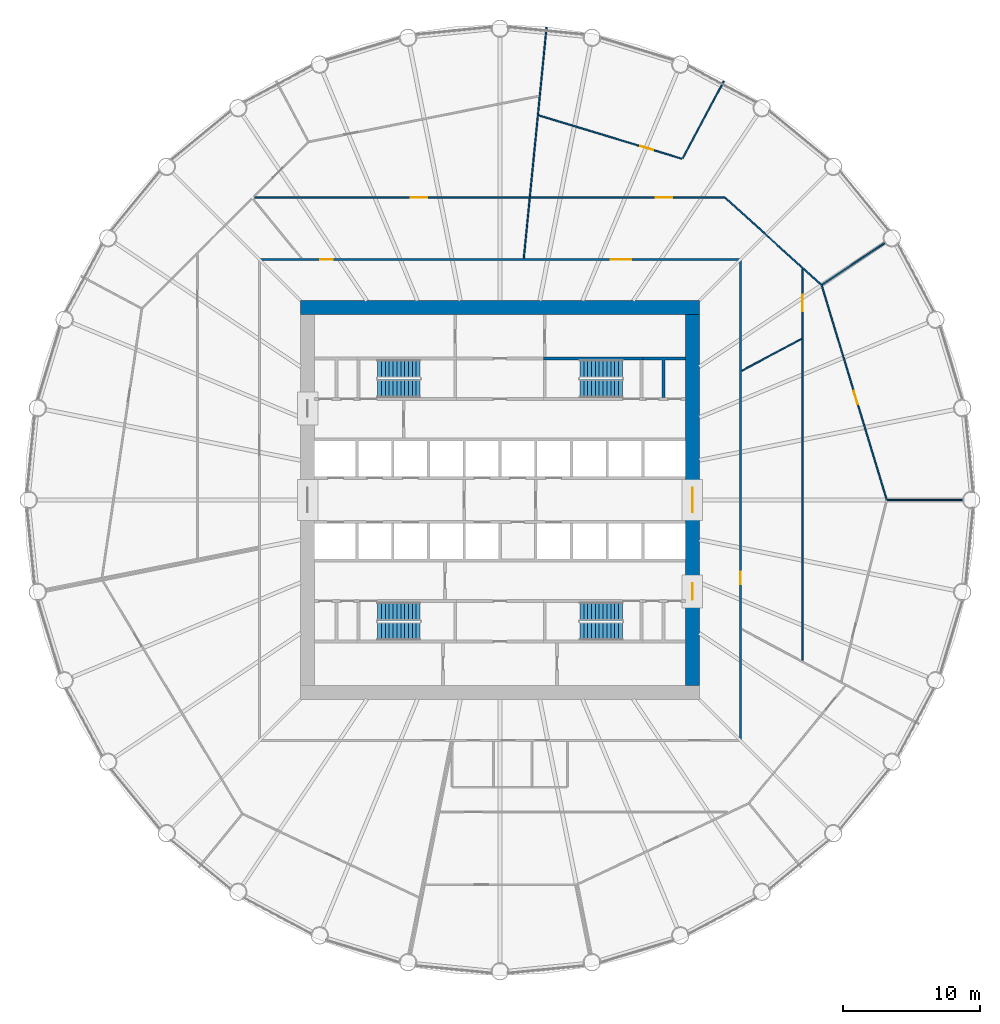
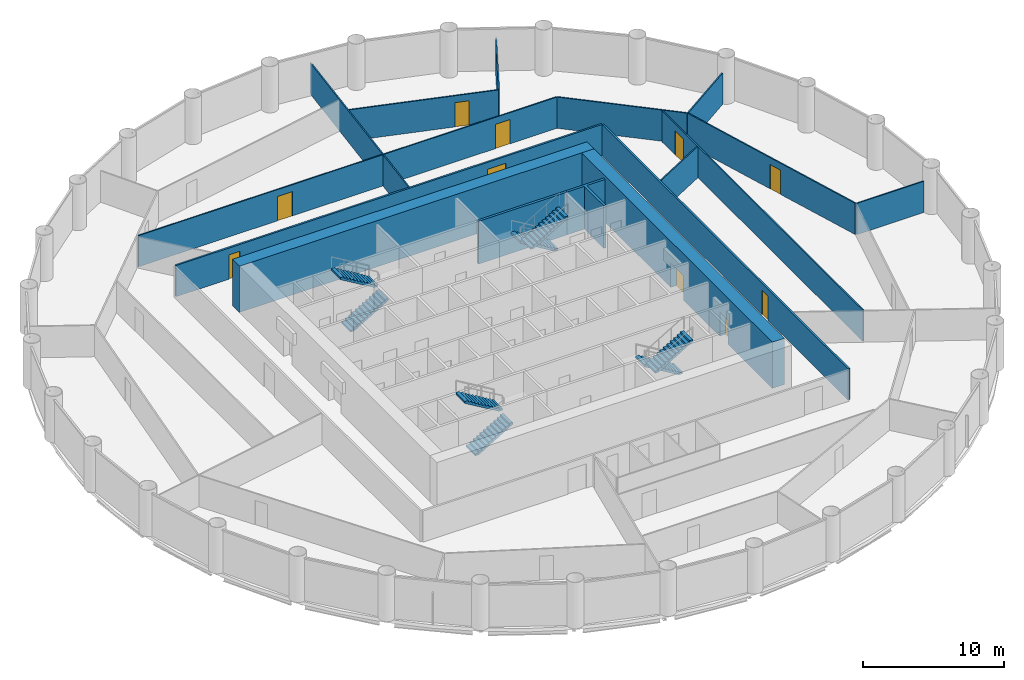
# One storey, part 7 of 8: 17 walls, 10 doors, 8 stair flights, 10 openings, 4 elements without a shape of their own.
"""IFC4 building model written with IfcOpenShell, lengths in metres."""

from ifc_helpers import new_model, si_unit, direction, frame, frame_2d, origin, place, context, subcontext, project, spatial, polyline, rectangle, outline, extrude, material, layer, layer_set, type_object, element, fill, aggregate, save


model = new_model("IFC4")

# Units and contexts
model_context = context("Model", 3, precision=1e-05, world=origin(), true_north=direction((0.0, 1.0)))
body_context = subcontext(model_context, "Body", "Model", "MODEL_VIEW")
ifc_project = project(units=[si_unit("LENGTHUNIT", "METRE"), si_unit("AREAUNIT", "SQUARE_METRE"), si_unit("VOLUMEUNIT", "CUBIC_METRE"), si_unit("PLANEANGLEUNIT", "RADIAN"), si_unit("MASSUNIT", "GRAM", prefix="KILO")], contexts=[model_context])

# Site, building, storey
site_placement = place(None, origin())
site = spatial("IfcSite", under=ifc_project, at=site_placement, CompositionType="ELEMENT")
building_placement = place(site_placement, origin())
building = spatial("IfcBuilding", under=site, at=building_placement, Name="Corvane Civic Tower", CompositionType="ELEMENT")
storey_placement = place(building_placement, frame((0.0, 0.0, 126.5)))
storey = spatial("IfcBuildingStorey", under=building, at=storey_placement, Name="L29", CompositionType="ELEMENT", Elevation=126.5)

# Wall
ifc_material_1 = material(Name="Concrete C70/85", Category="concrete")
ifc_layer_1 = layer(ifc_material_1, 1.0)
ifc_layer_set_1 = layer_set([ifc_layer_1], Name="Concrete C70/85")
wall_type_1 = type_object("IfcWallType", Name="CORE WALL 1000 C70/85", PredefinedType="SHEAR", material=ifc_layer_set_1)
wall_1_placement = place(storey_placement, frame((-14.5, 14.0, 0.0), z_axis=(0.0, 0.0, 1.0), x_axis=(1.0, 0.0, 0.0)))
element("IfcWall", 1, at=wall_1_placement, inside=storey, type_object=wall_type_1, Name="W-L29-core-N", PredefinedType="SHEAR", context=body_context, shape_type="SweptSolid", body=[
    extrude(rectangle(XDim=29.0, YDim=1.0, at=frame_2d((14.5, 0.0))), origin(), (0.0, 0.0, 1.0), 4.0),
])

# Wall, openings, doors
wall_2_placement = place(storey_placement, frame((14.0, -13.5, 0.0), z_axis=(0.0, 0.0, 1.0), x_axis=(0.0, 1.0, 0.0)))
wall_2 = element("IfcWall", 2, at=wall_2_placement, inside=storey, type_object=wall_type_1, Name="W-L29-core-E", PredefinedType="SHEAR", context=body_context, shape_type="SweptSolid", body=[
    extrude(rectangle(XDim=27.0, YDim=1.0, at=frame_2d((13.5, 0.0))), origin(), (0.0, 0.0, 1.0), 4.0),
])
opening_1_placement = place(wall_2_placement, frame((12.60009765625, 0.0, 0.0)))
opening_1 = element("IfcOpeningElement", 3, at=opening_1_placement, cuts=wall_2, Name="Opening L29.C27", PredefinedType="OPENING", context=body_context, shape_type="SweptSolid", body=[
    extrude(rectangle(XDim=1.800048828125, YDim=2.10009765625, at=frame_2d((0.89990234375, 1.050048828125))), frame((0.0, 0.510009765625, 0.0), z_axis=(0.0, -1.0, 0.0), x_axis=(1.0, 0.0, 0.0)), (0.0, 0.0, 1.0), 1.02001953125),
])
opening_2_placement = place(wall_2_placement, frame((6.25, 0.0, 0.0)))
opening_2 = element("IfcOpeningElement", 4, at=opening_2_placement, cuts=wall_2, Name="Opening L29.C29", PredefinedType="OPENING", context=body_context, shape_type="SweptSolid", body=[
    extrude(rectangle(XDim=1.199951171875, YDim=2.10009765625, at=frame_2d((0.60009765625, 1.050048828125))), frame((0.0, 0.510009765625, 0.0), z_axis=(0.0, -1.0, 0.0), x_axis=(1.0, 0.0, 0.0)), (0.0, 0.0, 1.0), 1.02001953125),
])
ifc_material_2 = material(Name="Steel fire door leaf", Category="steel")
door_type_1 = type_object("IfcDoorType", Name="CR-DOOR-CORE-1800", OperationType="DOUBLE_DOOR_SINGLE_SWING", PredefinedType="DOOR", material=ifc_material_2)
door_1_placement = place(opening_1_placement, origin())
door_1 = element("IfcDoor", 5, at=door_1_placement, inside=storey, type_object=door_type_1, Name="L29 door", OperationType="DOUBLE_DOOR_SINGLE_SWING", OverallHeight=2.10009765625, OverallWidth=1.800048828125, PredefinedType="DOOR", context=body_context, shape_type="SweptSolid", body=[
    extrude(rectangle(XDim=1.800048828125, YDim=2.10009765625, at=frame_2d((0.89990234375, 1.050048828125))), frame((0.0, 0.02490234375, 0.0), z_axis=(0.0, -1.0, 0.0), x_axis=(1.0, 0.0, 0.0)), (0.0, 0.0, 1.0), 0.050048828125),
])
fill(opening_1, door_1)
door_2_placement = place(opening_2_placement, origin())
door_2 = element("IfcDoor", 6, at=door_2_placement, inside=storey, type_object=door_type_1, Name="L29 door", OperationType="DOUBLE_DOOR_SINGLE_SWING", OverallHeight=2.10009765625, OverallWidth=1.199951171875, PredefinedType="DOOR", context=body_context, shape_type="SweptSolid", body=[
    extrude(rectangle(XDim=1.199951171875, YDim=2.10009765625, at=frame_2d((0.60009765625, 1.050048828125))), frame((0.0, 0.02490234375, 0.0), z_axis=(0.0, -1.0, 0.0), x_axis=(1.0, 0.0, 0.0)), (0.0, 0.0, 1.0), 0.050048828125),
])
fill(opening_2, door_2)

# Wall
ifc_material_3 = material(Name="Concrete C30/37", Category="concrete")
ifc_layer_2 = layer(ifc_material_3, 0.199951171875)
ifc_layer_set_2 = layer_set([ifc_layer_2], Name="Concrete C30/37")
wall_type_2 = type_object("IfcWallType", Name="CR-WALL-200", PredefinedType="PARTITIONING", material=ifc_layer_set_2)
wall_3_placement = place(storey_placement, origin())
element("IfcWall", 7, at=wall_3_placement, inside=storey, type_object=wall_type_2, Name="L29 core partition wall", PredefinedType="PARTITIONING", context=body_context, shape_type="SweptSolid", body=[
    extrude(outline(polyline([(13.5, 10.39990234375), (13.5, 10.199951171875), (12.0, 10.199951171875), (12.0, 7.449951171875), (11.800048828125, 7.449951171875), (11.800048828125, 10.199951171875), (10.39990234375, 10.199951171875), (10.39990234375, 10.39990234375), (13.5, 10.39990234375)])), origin(), (0.0, 0.0, 1.0), 3.699951171875),
])

# Wall, opening, door
ifc_material_4 = material(Name="Plasterboard")
ifc_layer_3 = layer(ifc_material_4, 0.10009765625)
ifc_layer_set_3 = layer_set([ifc_layer_3], Name="Plasterboard")
wall_type_3 = type_object("IfcWallType", Name="Partition 100 plasterboard on studs", PredefinedType="PARTITIONING", material=ifc_layer_set_3)
wall_4_placement = place(storey_placement, frame((22.0, -11.67578125, 0.0), z_axis=(0.0, 0.0, 1.0), x_axis=(0.0, 1.0, 0.0)))
wall_4 = element("IfcWall", 8, at=wall_4_placement, inside=storey, type_object=wall_type_3, Name="Partition L29.021", PredefinedType="PARTITIONING", context=body_context, shape_type="SweptSolid", body=[
    extrude(rectangle(XDim=28.466796875, YDim=0.10009765625, at=frame_2d((14.2333984375, 0.0))), origin(), (0.0, 0.0, 1.0), 2.699951171875),
])
opening_3_placement = place(wall_4_placement, frame((25.4072265625, 0.0, 0.0)))
opening_3 = element("IfcOpeningElement", 9, at=opening_3_placement, cuts=wall_4, Name="Opening L29.014", PredefinedType="OPENING", context=body_context, shape_type="SweptSolid", body=[
    extrude(rectangle(XDim=1.199951171875, YDim=2.10009765625, at=frame_2d((0.60009765625, 1.050048828125))), frame((0.0, 0.06005859375, 0.0), z_axis=(0.0, -1.0, 0.0), x_axis=(1.0, 0.0, 0.0)), (0.0, 0.0, 1.0), 0.1201171875),
])
ifc_material_5 = material(Name="Timber", Category="wood")
door_type_2 = type_object("IfcDoorType", Name="Double door 1200", OperationType="NOTDEFINED", PredefinedType="DOOR", material=ifc_material_5)
door_3_placement = place(opening_3_placement, frame((1.199951171875, 0.0, 0.0), z_axis=(0.0, 0.0, 1.0), x_axis=(-1.0, 0.0, 0.0)))
door_3 = element("IfcDoor", 10, at=door_3_placement, inside=storey, type_object=door_type_2, Name="Door L29.014", OperationType="DOUBLE_DOOR_SINGLE_SWING", OverallHeight=2.10009765625, OverallWidth=1.199951171875, PredefinedType="DOOR", context=body_context, shape_type="SweptSolid", body=[
    extrude(rectangle(XDim=1.199951171875, YDim=2.10009765625, at=frame_2d((0.60009765625, 1.050048828125))), frame((0.0, 0.02490234375, 0.0), z_axis=(0.0, -1.0, 0.0), x_axis=(1.0, 0.0, 0.0)), (0.0, 0.0, 1.0), 0.050048828125),
])
fill(opening_3, door_3)

# Wall
wall_5_placement = place(storey_placement, frame((28.181640625, 0.0, 0.0), z_axis=(0.0, 0.0, 1.0), x_axis=(1.0, 0.0, 0.0)))
element("IfcWall", 11, at=wall_5_placement, inside=storey, type_object=wall_type_3, Name="Partition L29.025", PredefinedType="PARTITIONING", context=body_context, shape_type="SweptSolid", body=[
    extrude(rectangle(XDim=5.4833984375, YDim=0.10009765625, at=frame_2d((2.74169921875, 0.0))), origin(), (0.0, 0.0, 1.0), 2.699951171875),
])

# Wall, opening, door
wall_6_placement = place(storey_placement, frame((23.410400390625, 15.599609375, 0.0), z_axis=(0.0, 0.0, 1.0), x_axis=(0.290289427399, -0.956938894779, 0.0)))
wall_6 = element("IfcWall", 12, at=wall_6_placement, inside=storey, type_object=wall_type_3, Name="Partition L29.026", PredefinedType="PARTITIONING", context=body_context, shape_type="SweptSolid", body=[
    extrude(rectangle(XDim=16.2646484375, YDim=0.10009765625, at=frame_2d((8.13232421875, 0.0))), origin(), (0.0, 0.0, 1.0), 2.699951171875),
])
opening_4_placement = place(wall_6_placement, frame((8.015380859375, 0.0, 0.0)))
opening_4 = element("IfcOpeningElement", 13, at=opening_4_placement, cuts=wall_6, Name="Opening L29.012", PredefinedType="OPENING", context=body_context, shape_type="SweptSolid", body=[
    extrude(rectangle(XDim=1.0, YDim=2.10009765625, at=frame_2d((0.5, 1.050048828125))), frame((0.0, 0.06005859375, 0.0), z_axis=(0.0, -1.0, 0.0), x_axis=(1.0, 0.0, 0.0)), (0.0, 0.0, 1.0), 0.1201171875),
])
ifc_material_6 = material(Name="Timber", Category="wood")
door_type_3 = type_object("IfcDoorType", Name="Single door 1000", OperationType="NOTDEFINED", PredefinedType="DOOR", material=ifc_material_6)
door_4_placement = place(opening_4_placement, origin())
door_4 = element("IfcDoor", 14, at=door_4_placement, inside=storey, type_object=door_type_3, Name="Door L29.012", OperationType="SINGLE_SWING_RIGHT", OverallHeight=2.10009765625, OverallWidth=1.0, PredefinedType="DOOR", context=body_context, shape_type="SweptSolid", body=[
    extrude(rectangle(XDim=1.0, YDim=2.10009765625, at=frame_2d((0.5, 1.050048828125))), frame((0.0, 0.02490234375, 0.0), z_axis=(0.0, -1.0, 0.0), x_axis=(1.0, 0.0, 0.0)), (0.0, 0.0, 1.0), 0.050048828125),
])
fill(opening_4, door_4)

# Walls
wall_7_placement = place(storey_placement, frame((17.5986328125, 9.406494140625, 0.0), z_axis=(0.0, 0.0, 1.0), x_axis=(0.881906349881, 0.47142463877, 0.0)))
element("IfcWall", 15, at=wall_7_placement, inside=storey, type_object=wall_type_3, Name="Partition L29.027", PredefinedType="PARTITIONING", context=body_context, shape_type="SweptSolid", body=[
    extrude(rectangle(XDim=4.907470703125, YDim=0.10009765625, at=frame_2d((2.45361328125, 0.0))), origin(), (0.0, 0.0, 1.0), 2.699951171875),
])
wall_8_placement = place(storey_placement, frame((16.391357421875, 21.987060546875, 0.0), z_axis=(0.0, 0.0, 1.0), x_axis=(0.740947856194, -0.671562561793, 0.0)))
element("IfcWall", 16, at=wall_8_placement, inside=storey, type_object=wall_type_3, Name="Partition L29.030", PredefinedType="PARTITIONING", context=body_context, shape_type="SweptSolid", body=[
    extrude(rectangle(XDim=9.41943359375, YDim=0.10009765625, at=frame_2d((4.709716796875, 0.0))), origin(), (0.0, 0.0, 1.0), 2.699951171875),
])
wall_9_placement = place(storey_placement, frame((23.43212890625, 15.65673828125, 0.0), z_axis=(0.0, 0.0, 1.0), x_axis=(0.831453900371, 0.555593746867, 0.0)))
element("IfcWall", 17, at=wall_9_placement, inside=storey, type_object=wall_type_3, Name="Partition L29.031", PredefinedType="PARTITIONING", context=body_context, shape_type="SweptSolid", body=[
    extrude(rectangle(XDim=5.483642578125, YDim=0.10009765625, at=frame_2d((2.74169921875, 0.0))), origin(), (0.0, 0.0, 1.0), 2.699951171875),
])
wall_10_placement = place(storey_placement, frame((1.7314453125, 17.579833984375, 0.0), z_axis=(0.0, 0.0, 1.0), x_axis=(0.098017353968, 0.995184705631, 0.0)))
element("IfcWall", 18, at=wall_10_placement, inside=storey, type_object=wall_type_3, Name="Partition L29.033", PredefinedType="PARTITIONING", context=body_context, shape_type="SweptSolid", body=[
    extrude(rectangle(XDim=4.391357421875, YDim=0.10009765625, at=frame_2d((2.19580078125, 0.0))), origin(), (0.0, 0.0, 1.0), 2.699951171875),
])

# Wall, openings, doors
wall_11_placement = place(storey_placement, frame((-17.86181640625, 22.0, 0.0), z_axis=(0.0, 0.0, 1.0), x_axis=(1.0, 0.0, 0.0)))
wall_11 = element("IfcWall", 19, at=wall_11_placement, inside=storey, type_object=wall_type_3, Name="Partition L29.035", PredefinedType="PARTITIONING", context=body_context, shape_type="SweptSolid", body=[
    extrude(rectangle(XDim=34.219482421875, YDim=0.10009765625, at=frame_2d((17.10986328125, 0.0))), origin(), (0.0, 0.0, 1.0), 2.699951171875),
])
opening_5_placement = place(wall_11_placement, frame((11.372314453125, 0.0, 0.0)))
opening_5 = element("IfcOpeningElement", 20, at=opening_5_placement, cuts=wall_11, Name="Opening L29.008", PredefinedType="OPENING", context=body_context, shape_type="SweptSolid", body=[
    extrude(rectangle(XDim=1.199951171875, YDim=2.10009765625, at=frame_2d((0.60009765625, 1.050048828125))), frame((0.0, 0.06005859375, 0.0), z_axis=(0.0, -1.0, 0.0), x_axis=(1.0, 0.0, 0.0)), (0.0, 0.0, 1.0), 0.1201171875),
])
opening_6_placement = place(wall_11_placement, frame((29.17724609375, 0.0, 0.0)))
opening_6 = element("IfcOpeningElement", 21, at=opening_6_placement, cuts=wall_11, Name="Opening L29.015", PredefinedType="OPENING", context=body_context, shape_type="SweptSolid", body=[
    extrude(rectangle(XDim=1.199951171875, YDim=2.10009765625, at=frame_2d((0.60009765625, 1.050048828125))), frame((0.0, 0.06005859375, 0.0), z_axis=(0.0, -1.0, 0.0), x_axis=(1.0, 0.0, 0.0)), (0.0, 0.0, 1.0), 0.1201171875),
])
door_5_placement = place(opening_5_placement, origin())
door_5 = element("IfcDoor", 22, at=door_5_placement, inside=storey, type_object=door_type_2, Name="Door L29.008", OperationType="DOUBLE_DOOR_SINGLE_SWING", OverallHeight=2.10009765625, OverallWidth=1.199951171875, PredefinedType="DOOR", context=body_context, shape_type="SweptSolid", body=[
    extrude(rectangle(XDim=1.199951171875, YDim=2.10009765625, at=frame_2d((0.60009765625, 1.050048828125))), frame((0.0, 0.02490234375, 0.0), z_axis=(0.0, -1.0, 0.0), x_axis=(1.0, 0.0, 0.0)), (0.0, 0.0, 1.0), 0.050048828125),
])
fill(opening_5, door_5)
door_6_placement = place(opening_6_placement, origin())
door_6 = element("IfcDoor", 23, at=door_6_placement, inside=storey, type_object=door_type_2, Name="Door L29.015", OperationType="DOUBLE_DOOR_SINGLE_SWING", OverallHeight=2.10009765625, OverallWidth=1.199951171875, PredefinedType="DOOR", context=body_context, shape_type="SweptSolid", body=[
    extrude(rectangle(XDim=1.199951171875, YDim=2.10009765625, at=frame_2d((0.60009765625, 1.050048828125))), frame((0.0, 0.02490234375, 0.0), z_axis=(0.0, -1.0, 0.0), x_axis=(1.0, 0.0, 0.0)), (0.0, 0.0, 1.0), 0.050048828125),
])
fill(opening_6, door_6)

# Wall
wall_12_placement = place(storey_placement, frame((2.172119140625, 22.054931640625, 0.0), z_axis=(0.0, 0.0, 1.0), x_axis=(0.09802265645, 0.995184183366, 0.0)))
element("IfcWall", 24, at=wall_12_placement, inside=storey, type_object=wall_type_3, Name="Partition L29.036", PredefinedType="PARTITIONING", context=body_context, shape_type="SweptSolid", body=[
    extrude(rectangle(XDim=12.388427734375, YDim=0.10009765625, at=frame_2d((6.1943359375, 0.0))), origin(), (0.0, 0.0, 1.0), 2.699951171875),
])

# Wall, opening, door
wall_13_placement = place(storey_placement, frame((2.816650390625, 27.9892578125, 0.0), z_axis=(0.0, 0.0, 1.0), x_axis=(0.956940372735, -0.290284555271, 0.0)))
wall_13 = element("IfcWall", 25, at=wall_13_placement, inside=storey, type_object=wall_type_3, Name="Partition L29.038", PredefinedType="PARTITIONING", context=body_context, shape_type="SweptSolid", body=[
    extrude(rectangle(XDim=10.87890625, YDim=0.10009765625, at=frame_2d((5.439453125, 0.0))), origin(), (0.0, 0.0, 1.0), 2.699951171875),
])
opening_7_placement = place(wall_13_placement, frame((7.715576171875, 0.0, 0.0)))
opening_7 = element("IfcOpeningElement", 26, at=opening_7_placement, cuts=wall_13, Name="Opening L29.011", PredefinedType="OPENING", context=body_context, shape_type="SweptSolid", body=[
    extrude(rectangle(XDim=1.0, YDim=2.10009765625, at=frame_2d((0.5, 1.050048828125))), frame((0.0, 0.06005859375, 0.0), z_axis=(0.0, -1.0, 0.0), x_axis=(1.0, 0.0, 0.0)), (0.0, 0.0, 1.0), 0.1201171875),
])
door_7_placement = place(opening_7_placement, origin())
door_7 = element("IfcDoor", 27, at=door_7_placement, inside=storey, type_object=door_type_3, Name="Door L29.011", OperationType="SINGLE_SWING_LEFT", OverallHeight=2.10009765625, OverallWidth=1.0, PredefinedType="DOOR", context=body_context, shape_type="SweptSolid", body=[
    extrude(rectangle(XDim=1.0, YDim=2.10009765625, at=frame_2d((0.5, 1.050048828125))), frame((0.0, 0.02490234375, 0.0), z_axis=(0.0, -1.0, 0.0), x_axis=(1.0, 0.0, 0.0)), (0.0, 0.0, 1.0), 0.050048828125),
])
fill(opening_7, door_7)

# Walls
wall_14_placement = place(storey_placement, frame((13.28564453125, 24.855712890625, 0.0), z_axis=(0.0, 0.0, 1.0), x_axis=(0.471406069259, 0.881916275996, 0.0)))
element("IfcWall", 28, at=wall_14_placement, inside=storey, type_object=wall_type_3, Name="Partition L29.039", PredefinedType="PARTITIONING", context=body_context, shape_type="SweptSolid", body=[
    extrude(rectangle(XDim=6.366455078125, YDim=0.10009765625, at=frame_2d((3.18310546875, 0.0))), origin(), (0.0, 0.0, 1.0), 2.699951171875),
])
ifc_material_7 = material(Name="Concrete C50/60", Category="concrete")
ifc_layer_4 = layer(ifc_material_7, 0.199951171875)
ifc_layer_set_4 = layer_set([ifc_layer_4], Name="Concrete C50/60")
wall_type_4 = type_object("IfcWallType", Name="ST-WALL-200", PredefinedType="SHEAR", material=ifc_layer_set_4)
wall_15_placement = place(storey_placement, origin())
element("IfcWall", 29, at=wall_15_placement, inside=storey, type_object=wall_type_4, Name="L29 stair enclosure wall", PredefinedType="SHEAR", context=body_context, shape_type="SweptSolid", body=[
    extrude(outline(polyline([(10.39990234375, 10.199951171875), (3.14990234375, 10.199951171875), (3.14990234375, 10.39990234375), (10.39990234375, 10.39990234375), (10.39990234375, 10.199951171875)])), origin(), (0.0, 0.0, 1.0), 3.699951171875),
])

# Wall, opening, door
ifc_material_8 = material(Name="Plasterboard")
ifc_layer_5 = layer(ifc_material_8, 0.14990234375)
ifc_layer_set_5 = layer_set([ifc_layer_5], Name="Plasterboard")
wall_type_5 = type_object("IfcWallType", Name="Tenancy wall 150 EI 60", PredefinedType="PARTITIONING", material=ifc_layer_set_5)
wall_16_placement = place(storey_placement, frame((17.5, -17.425048828125, 0.0), z_axis=(0.0, 0.0, 1.0), x_axis=(0.0, 1.0, 0.0)))
wall_16 = element("IfcWall", 30, at=wall_16_placement, inside=storey, type_object=wall_type_5, Name="Partition L29.018", PredefinedType="PARTITIONING", context=body_context, shape_type="SweptSolid", body=[
    extrude(rectangle(XDim=34.85009765625, YDim=0.14990234375, at=frame_2d((17.425048828125, 0.0))), origin(), (0.0, 0.0, 1.0), 2.699951171875),
])
opening_8_placement = place(wall_16_placement, frame((11.30615234375, 0.0, 0.0)))
opening_8 = element("IfcOpeningElement", 31, at=opening_8_placement, cuts=wall_16, Name="Opening L29.017", PredefinedType="OPENING", context=body_context, shape_type="SweptSolid", body=[
    extrude(rectangle(XDim=0.89990234375, YDim=2.10009765625, at=frame_2d((0.449951171875, 1.050048828125))), frame((0.0, 0.0849609375, 0.0), z_axis=(0.0, -1.0, 0.0), x_axis=(1.0, 0.0, 0.0)), (0.0, 0.0, 1.0), 0.169921875),
])
ifc_material_9 = material(Name="Steel and timber", Category="steel")
door_type_4 = type_object("IfcDoorType", Name="Fire door FD30S 900", OperationType="NOTDEFINED", PredefinedType="DOOR", material=ifc_material_9)
door_8_placement = place(opening_8_placement, frame((0.89990234375, 0.0, 0.0), z_axis=(0.0, 0.0, 1.0), x_axis=(-1.0, 0.0, 0.0)))
door_8 = element("IfcDoor", 32, at=door_8_placement, inside=storey, type_object=door_type_4, Name="Door L29.017", OperationType="SINGLE_SWING_LEFT", OverallHeight=2.10009765625, OverallWidth=0.89990234375, PredefinedType="DOOR", context=body_context, shape_type="SweptSolid", body=[
    extrude(rectangle(XDim=0.89990234375, YDim=2.10009765625, at=frame_2d((0.449951171875, 1.050048828125))), frame((0.0, 0.02490234375, 0.0), z_axis=(0.0, -1.0, 0.0), x_axis=(1.0, 0.0, 0.0)), (0.0, 0.0, 1.0), 0.050048828125),
])
fill(opening_8, door_8)

# Wall, openings, doors
wall_17_placement = place(storey_placement, frame((-17.425048828125, 17.5, 0.0), z_axis=(0.0, 0.0, 1.0), x_axis=(1.0, 0.0, 0.0)))
wall_17 = element("IfcWall", 33, at=wall_17_placement, inside=storey, type_object=wall_type_5, Name="Partition L29.032", PredefinedType="PARTITIONING", context=body_context, shape_type="SweptSolid", body=[
    extrude(rectangle(XDim=34.85009765625, YDim=0.14990234375, at=frame_2d((17.425048828125, 0.0))), origin(), (0.0, 0.0, 1.0), 2.699951171875),
])
opening_9_placement = place(wall_17_placement, frame((4.343505859375, 0.0, 0.0)))
opening_9 = element("IfcOpeningElement", 34, at=opening_9_placement, cuts=wall_17, Name="Opening L29.010", PredefinedType="OPENING", context=body_context, shape_type="SweptSolid", body=[
    extrude(rectangle(XDim=0.89990234375, YDim=2.10009765625, at=frame_2d((0.449951171875, 1.050048828125))), frame((0.0, 0.0849609375, 0.0), z_axis=(0.0, -1.0, 0.0), x_axis=(1.0, 0.0, 0.0)), (0.0, 0.0, 1.0), 0.169921875),
])
opening_10_placement = place(wall_17_placement, frame((25.488037109375, 0.0, 0.0)))
opening_10 = element("IfcOpeningElement", 35, at=opening_10_placement, cuts=wall_17, Name="Opening L29.016", PredefinedType="OPENING", context=body_context, shape_type="SweptSolid", body=[
    extrude(rectangle(XDim=1.5, YDim=2.10009765625, at=frame_2d((0.75, 1.050048828125))), frame((0.0, 0.0849609375, 0.0), z_axis=(0.0, -1.0, 0.0), x_axis=(1.0, 0.0, 0.0)), (0.0, 0.0, 1.0), 0.169921875),
])
door_9_placement = place(opening_9_placement, origin())
door_9 = element("IfcDoor", 36, at=door_9_placement, inside=storey, type_object=door_type_4, Name="Door L29.010", OperationType="SINGLE_SWING_LEFT", OverallHeight=2.10009765625, OverallWidth=0.89990234375, PredefinedType="DOOR", context=body_context, shape_type="SweptSolid", body=[
    extrude(rectangle(XDim=0.89990234375, YDim=2.10009765625, at=frame_2d((0.449951171875, 1.050048828125))), frame((0.0, 0.02490234375, 0.0), z_axis=(0.0, -1.0, 0.0), x_axis=(1.0, 0.0, 0.0)), (0.0, 0.0, 1.0), 0.050048828125),
])
fill(opening_9, door_9)
ifc_material_10 = material(Name="Steel and timber", Category="steel")
door_type_5 = type_object("IfcDoorType", Name="Fire door FD60 double 1500", OperationType="NOTDEFINED", PredefinedType="DOOR", material=ifc_material_10)
door_10_placement = place(opening_10_placement, origin())
door_10 = element("IfcDoor", 37, at=door_10_placement, inside=storey, type_object=door_type_5, Name="Door L29.016", OperationType="DOUBLE_DOOR_SINGLE_SWING", OverallHeight=2.10009765625, OverallWidth=1.5, PredefinedType="DOOR", context=body_context, shape_type="SweptSolid", body=[
    extrude(rectangle(XDim=1.5, YDim=2.10009765625, at=frame_2d((0.75, 1.050048828125))), frame((0.0, 0.02490234375, 0.0), z_axis=(0.0, -1.0, 0.0), x_axis=(1.0, 0.0, 0.0)), (0.0, 0.0, 1.0), 0.050048828125),
])
fill(opening_10, door_10)

# Stair, stair flights
ifc_material_11 = material(Name="Concrete C40/50", Category="concrete")
stair_type = type_object("IfcStairType", Name="ST-STAIR-HALFTURN", PredefinedType="HALF_TURN_STAIR", material=ifc_material_11)
stair_1_placement = place(storey_placement, origin())
stair_1 = element("IfcStair", 38, at=stair_1_placement, inside=storey, type_object=stair_type, Name="L29 Exit stair ST1", PredefinedType="HALF_TURN_STAIR")
ifc_material_12 = material(Name="Concrete C40/50", Category="concrete")
stair_flight_type = type_object("IfcStairFlightType", Name="ST-FLIGHT-RC", PredefinedType="STRAIGHT", material=ifc_material_12)
stair_flight_1_placement = place(storey_placement, frame((8.89990234375, 9.550048828125, 0.0), z_axis=(0.0, 0.0, 1.0), x_axis=(-1.0, 0.0, 0.0)))
stair_flight_1 = element("IfcStairFlight", 39, at=stair_flight_1_placement, type_object=stair_flight_type, Name="ST1 flight 1", NumberOfRisers=12, NumberOfTreads=11, PredefinedType="STRAIGHT", RiserHeight=0.166666667, TreadLength=0.28, context=body_context, shape_type="SweptSolid", body=[
    extrude(outline(polyline([(0.0, 0.0), (0.0, 0.166748046875), (0.280029296875, 0.166748046875), (0.280029296875, 0.333251953125), (0.56005859375, 0.333251953125), (0.56005859375, 0.5), (0.840087890625, 0.5), (0.840087890625, 0.666748046875), (1.1201171875, 0.666748046875), (1.1201171875, 0.833251953125), (1.39990234375, 0.833251953125), (1.39990234375, 1.0), (1.679931640625, 1.0), (1.679931640625, 1.166748046875), (1.9599609375, 1.166748046875), (1.9599609375, 1.333251953125), (2.239990234375, 1.333251953125), (2.239990234375, 1.5), (2.52001953125, 1.5), (2.52001953125, 1.666748046875), (2.800048828125, 1.666748046875), (2.800048828125, 1.833251953125), (3.080078125, 1.833251953125), (3.080078125, 2.0), (3.080078125, 1.658935546875), (0.29296875, 0.0), (0.0, 0.0)])), frame((0.0, 0.64990234375, 0.0), z_axis=(0.0, -1.0, 0.0), x_axis=(1.0, 0.0, 0.0)), (0.0, 0.0, 1.0), 1.300048828125),
])
stair_flight_2_placement = place(storey_placement, frame((5.820068359375, 8.10009765625, 2.0), z_axis=(0.0, 0.0, 1.0), x_axis=(1.0, 0.0, 0.0)))
stair_flight_2 = element("IfcStairFlight", 40, at=stair_flight_2_placement, type_object=stair_flight_type, Name="ST1 flight 2", NumberOfRisers=12, NumberOfTreads=11, PredefinedType="STRAIGHT", RiserHeight=0.166666667, TreadLength=0.28, context=body_context, shape_type="SweptSolid", body=[
    extrude(outline(polyline([(0.0, 0.0), (0.0, 0.166748046875), (0.280029296875, 0.166748046875), (0.280029296875, 0.333251953125), (0.56005859375, 0.333251953125), (0.56005859375, 0.5), (0.840087890625, 0.5), (0.840087890625, 0.666748046875), (1.1201171875, 0.666748046875), (1.1201171875, 0.833251953125), (1.39990234375, 0.833251953125), (1.39990234375, 1.0), (1.679931640625, 1.0), (1.679931640625, 1.166748046875), (1.9599609375, 1.166748046875), (1.9599609375, 1.333251953125), (2.239990234375, 1.333251953125), (2.239990234375, 1.5), (2.52001953125, 1.5), (2.52001953125, 1.666748046875), (2.800048828125, 1.666748046875), (2.800048828125, 1.833251953125), (3.080078125, 1.833251953125), (3.080078125, 2.0), (3.080078125, 1.658935546875), (0.29296875, 0.0), (0.0, 0.0)])), frame((0.0, 0.64990234375, 0.0), z_axis=(0.0, -1.0, 0.0), x_axis=(1.0, 0.0, 0.0)), (0.0, 0.0, 1.0), 1.300048828125),
])
aggregate(stair_1, [stair_flight_1, stair_flight_2])

stair_2_placement = place(storey_placement, origin())
stair_2 = element("IfcStair", 41, at=stair_2_placement, inside=storey, type_object=stair_type, Name="L29 Exit stair ST2", PredefinedType="HALF_TURN_STAIR")
stair_flight_3_placement = place(storey_placement, frame((8.89990234375, -8.10009765625, 0.0), z_axis=(0.0, 0.0, 1.0), x_axis=(-1.0, 0.0, 0.0)))
stair_flight_3 = element("IfcStairFlight", 42, at=stair_flight_3_placement, type_object=stair_flight_type, Name="ST2 flight 1", NumberOfRisers=12, NumberOfTreads=11, PredefinedType="STRAIGHT", RiserHeight=0.166666667, TreadLength=0.28, context=body_context, shape_type="SweptSolid", body=[
    extrude(outline(polyline([(0.0, 0.0), (0.0, 0.166748046875), (0.280029296875, 0.166748046875), (0.280029296875, 0.333251953125), (0.56005859375, 0.333251953125), (0.56005859375, 0.5), (0.840087890625, 0.5), (0.840087890625, 0.666748046875), (1.1201171875, 0.666748046875), (1.1201171875, 0.833251953125), (1.39990234375, 0.833251953125), (1.39990234375, 1.0), (1.679931640625, 1.0), (1.679931640625, 1.166748046875), (1.9599609375, 1.166748046875), (1.9599609375, 1.333251953125), (2.239990234375, 1.333251953125), (2.239990234375, 1.5), (2.52001953125, 1.5), (2.52001953125, 1.666748046875), (2.800048828125, 1.666748046875), (2.800048828125, 1.833251953125), (3.080078125, 1.833251953125), (3.080078125, 2.0), (3.080078125, 1.658935546875), (0.29296875, 0.0), (0.0, 0.0)])), frame((0.0, 0.64990234375, 0.0), z_axis=(0.0, -1.0, 0.0), x_axis=(1.0, 0.0, 0.0)), (0.0, 0.0, 1.0), 1.300048828125),
])
stair_flight_4_placement = place(storey_placement, frame((5.820068359375, -9.550048828125, 2.0), z_axis=(0.0, 0.0, 1.0), x_axis=(1.0, 0.0, 0.0)))
stair_flight_4 = element("IfcStairFlight", 43, at=stair_flight_4_placement, type_object=stair_flight_type, Name="ST2 flight 2", NumberOfRisers=12, NumberOfTreads=11, PredefinedType="STRAIGHT", RiserHeight=0.166666667, TreadLength=0.28, context=body_context, shape_type="SweptSolid", body=[
    extrude(outline(polyline([(0.0, 0.0), (0.0, 0.166748046875), (0.280029296875, 0.166748046875), (0.280029296875, 0.333251953125), (0.56005859375, 0.333251953125), (0.56005859375, 0.5), (0.840087890625, 0.5), (0.840087890625, 0.666748046875), (1.1201171875, 0.666748046875), (1.1201171875, 0.833251953125), (1.39990234375, 0.833251953125), (1.39990234375, 1.0), (1.679931640625, 1.0), (1.679931640625, 1.166748046875), (1.9599609375, 1.166748046875), (1.9599609375, 1.333251953125), (2.239990234375, 1.333251953125), (2.239990234375, 1.5), (2.52001953125, 1.5), (2.52001953125, 1.666748046875), (2.800048828125, 1.666748046875), (2.800048828125, 1.833251953125), (3.080078125, 1.833251953125), (3.080078125, 2.0), (3.080078125, 1.658935546875), (0.29296875, 0.0), (0.0, 0.0)])), frame((0.0, 0.64990234375, 0.0), z_axis=(0.0, -1.0, 0.0), x_axis=(1.0, 0.0, 0.0)), (0.0, 0.0, 1.0), 1.300048828125),
])
aggregate(stair_2, [stair_flight_3, stair_flight_4])

stair_3_placement = place(storey_placement, origin())
stair_3 = element("IfcStair", 44, at=stair_3_placement, inside=storey, type_object=stair_type, Name="L29 Exit stair ST3", PredefinedType="HALF_TURN_STAIR")
stair_flight_5_placement = place(storey_placement, frame((-8.89990234375, -9.550048828125, 0.0), z_axis=(0.0, 0.0, 1.0), x_axis=(1.0, 0.0, 0.0)))
stair_flight_5 = element("IfcStairFlight", 45, at=stair_flight_5_placement, type_object=stair_flight_type, Name="ST3 flight 1", NumberOfRisers=12, NumberOfTreads=11, PredefinedType="STRAIGHT", RiserHeight=0.166666667, TreadLength=0.28, context=body_context, shape_type="SweptSolid", body=[
    extrude(outline(polyline([(0.0, 0.0), (0.0, 0.166748046875), (0.280029296875, 0.166748046875), (0.280029296875, 0.333251953125), (0.56005859375, 0.333251953125), (0.56005859375, 0.5), (0.840087890625, 0.5), (0.840087890625, 0.666748046875), (1.1201171875, 0.666748046875), (1.1201171875, 0.833251953125), (1.39990234375, 0.833251953125), (1.39990234375, 1.0), (1.679931640625, 1.0), (1.679931640625, 1.166748046875), (1.9599609375, 1.166748046875), (1.9599609375, 1.333251953125), (2.239990234375, 1.333251953125), (2.239990234375, 1.5), (2.52001953125, 1.5), (2.52001953125, 1.666748046875), (2.800048828125, 1.666748046875), (2.800048828125, 1.833251953125), (3.080078125, 1.833251953125), (3.080078125, 2.0), (3.080078125, 1.658935546875), (0.29296875, 0.0), (0.0, 0.0)])), frame((0.0, 0.64990234375, 0.0), z_axis=(0.0, -1.0, 0.0), x_axis=(1.0, 0.0, 0.0)), (0.0, 0.0, 1.0), 1.300048828125),
])
stair_flight_6_placement = place(storey_placement, frame((-5.820068359375, -8.10009765625, 2.0), z_axis=(0.0, 0.0, 1.0), x_axis=(-1.0, 0.0, 0.0)))
stair_flight_6 = element("IfcStairFlight", 46, at=stair_flight_6_placement, type_object=stair_flight_type, Name="ST3 flight 2", NumberOfRisers=12, NumberOfTreads=11, PredefinedType="STRAIGHT", RiserHeight=0.166666667, TreadLength=0.28, context=body_context, shape_type="SweptSolid", body=[
    extrude(outline(polyline([(0.0, 0.0), (0.0, 0.166748046875), (0.280029296875, 0.166748046875), (0.280029296875, 0.333251953125), (0.56005859375, 0.333251953125), (0.56005859375, 0.5), (0.840087890625, 0.5), (0.840087890625, 0.666748046875), (1.1201171875, 0.666748046875), (1.1201171875, 0.833251953125), (1.39990234375, 0.833251953125), (1.39990234375, 1.0), (1.679931640625, 1.0), (1.679931640625, 1.166748046875), (1.9599609375, 1.166748046875), (1.9599609375, 1.333251953125), (2.239990234375, 1.333251953125), (2.239990234375, 1.5), (2.52001953125, 1.5), (2.52001953125, 1.666748046875), (2.800048828125, 1.666748046875), (2.800048828125, 1.833251953125), (3.080078125, 1.833251953125), (3.080078125, 2.0), (3.080078125, 1.658935546875), (0.29296875, 0.0), (0.0, 0.0)])), frame((0.0, 0.64990234375, 0.0), z_axis=(0.0, -1.0, 0.0), x_axis=(1.0, 0.0, 0.0)), (0.0, 0.0, 1.0), 1.300048828125),
])
aggregate(stair_3, [stair_flight_5, stair_flight_6])

stair_4_placement = place(storey_placement, origin())
stair_4 = element("IfcStair", 47, at=stair_4_placement, inside=storey, type_object=stair_type, Name="L29 Exit stair ST4", PredefinedType="HALF_TURN_STAIR")
stair_flight_7_placement = place(storey_placement, frame((-8.89990234375, 8.10009765625, 0.0), z_axis=(0.0, 0.0, 1.0), x_axis=(1.0, 0.0, 0.0)))
stair_flight_7 = element("IfcStairFlight", 48, at=stair_flight_7_placement, type_object=stair_flight_type, Name="ST4 flight 1", NumberOfRisers=12, NumberOfTreads=11, PredefinedType="STRAIGHT", RiserHeight=0.166666667, TreadLength=0.28, context=body_context, shape_type="SweptSolid", body=[
    extrude(outline(polyline([(0.0, 0.0), (0.0, 0.166748046875), (0.280029296875, 0.166748046875), (0.280029296875, 0.333251953125), (0.56005859375, 0.333251953125), (0.56005859375, 0.5), (0.840087890625, 0.5), (0.840087890625, 0.666748046875), (1.1201171875, 0.666748046875), (1.1201171875, 0.833251953125), (1.39990234375, 0.833251953125), (1.39990234375, 1.0), (1.679931640625, 1.0), (1.679931640625, 1.166748046875), (1.9599609375, 1.166748046875), (1.9599609375, 1.333251953125), (2.239990234375, 1.333251953125), (2.239990234375, 1.5), (2.52001953125, 1.5), (2.52001953125, 1.666748046875), (2.800048828125, 1.666748046875), (2.800048828125, 1.833251953125), (3.080078125, 1.833251953125), (3.080078125, 2.0), (3.080078125, 1.658935546875), (0.29296875, 0.0), (0.0, 0.0)])), frame((0.0, 0.64990234375, 0.0), z_axis=(0.0, -1.0, 0.0), x_axis=(1.0, 0.0, 0.0)), (0.0, 0.0, 1.0), 1.300048828125),
])
stair_flight_8_placement = place(storey_placement, frame((-5.820068359375, 9.550048828125, 2.0), z_axis=(0.0, 0.0, 1.0), x_axis=(-1.0, 0.0, 0.0)))
stair_flight_8 = element("IfcStairFlight", 49, at=stair_flight_8_placement, type_object=stair_flight_type, Name="ST4 flight 2", NumberOfRisers=12, NumberOfTreads=11, PredefinedType="STRAIGHT", RiserHeight=0.166666667, TreadLength=0.28, context=body_context, shape_type="SweptSolid", body=[
    extrude(outline(polyline([(0.0, 0.0), (0.0, 0.166748046875), (0.280029296875, 0.166748046875), (0.280029296875, 0.333251953125), (0.56005859375, 0.333251953125), (0.56005859375, 0.5), (0.840087890625, 0.5), (0.840087890625, 0.666748046875), (1.1201171875, 0.666748046875), (1.1201171875, 0.833251953125), (1.39990234375, 0.833251953125), (1.39990234375, 1.0), (1.679931640625, 1.0), (1.679931640625, 1.166748046875), (1.9599609375, 1.166748046875), (1.9599609375, 1.333251953125), (2.239990234375, 1.333251953125), (2.239990234375, 1.5), (2.52001953125, 1.5), (2.52001953125, 1.666748046875), (2.800048828125, 1.666748046875), (2.800048828125, 1.833251953125), (3.080078125, 1.833251953125), (3.080078125, 2.0), (3.080078125, 1.658935546875), (0.29296875, 0.0), (0.0, 0.0)])), frame((0.0, 0.64990234375, 0.0), z_axis=(0.0, -1.0, 0.0), x_axis=(1.0, 0.0, 0.0)), (0.0, 0.0, 1.0), 1.300048828125),
])
aggregate(stair_4, [stair_flight_7, stair_flight_8])

save(model, "model.ifc")
